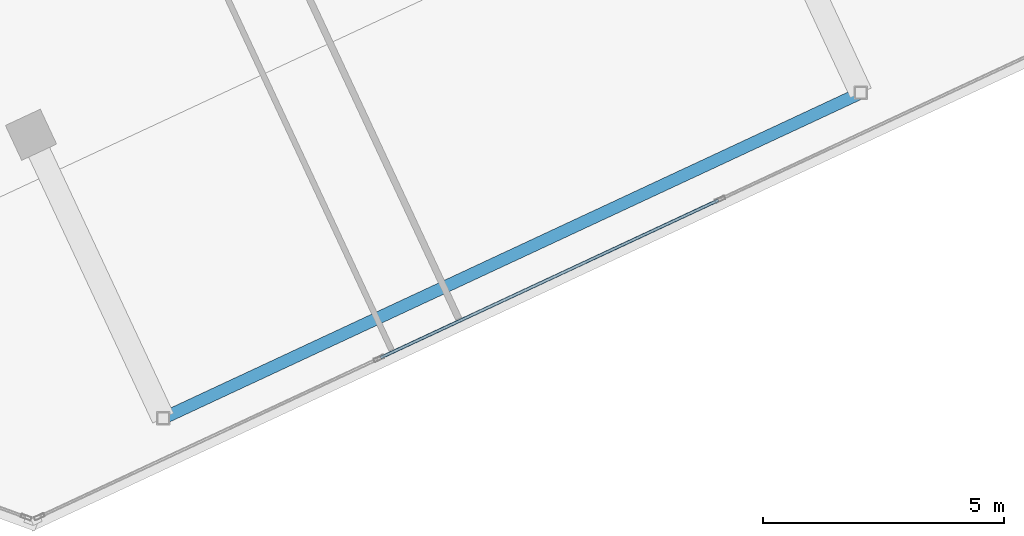
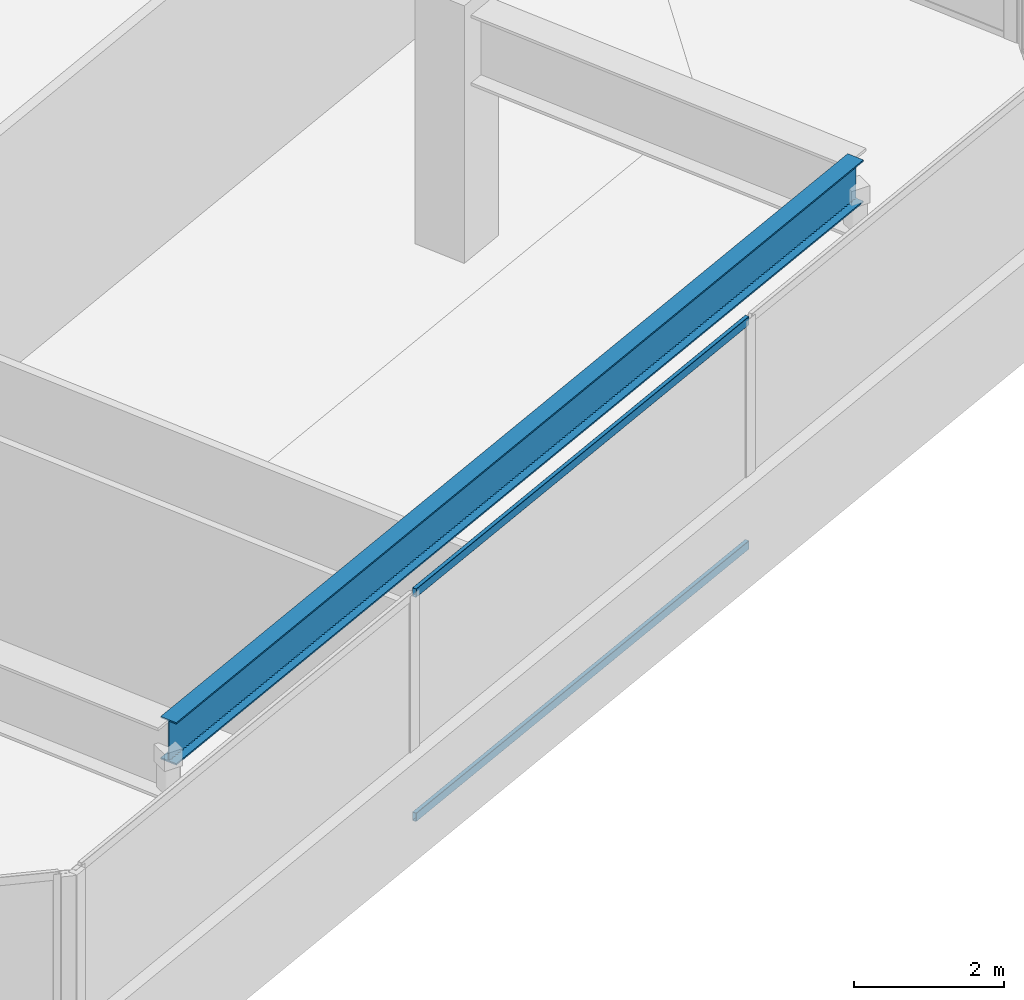
# One storey, part 4 of 17: 2 members, 1 beam, 1 element without a shape of its own.
"""IFC4 building model written with IfcOpenShell, lengths in metres."""

from ifc_helpers import new_model, si_unit, direction, frame, origin, origin_2d, place, context, subcontext, project, spatial, hollow_rectangle, i_section, extrude, source, transform, mapped, material, material_profile, profile_set, type_object, element, aggregate, save


model = new_model("IFC4")

# Units and contexts
model_context = context("Model", 3, precision=1e-05, world=origin(), true_north=direction((0.0, 1.0)))
body_context = subcontext(model_context, "Body", "Model", "MODEL_VIEW")
ifc_project = project(units=[si_unit("LENGTHUNIT", "METRE"), si_unit("AREAUNIT", "SQUARE_METRE"), si_unit("VOLUMEUNIT", "CUBIC_METRE"), si_unit("PLANEANGLEUNIT", "RADIAN"), si_unit("MASSUNIT", "GRAM", prefix="KILO")], contexts=[model_context])

# Site, building, storey
site_placement = place(None, origin())
site = spatial("IfcSite", under=ifc_project, at=site_placement, CompositionType="ELEMENT")
building_placement = place(site_placement, origin())
building = spatial("IfcBuilding", under=site, at=building_placement, Name="Torre Montelarca", CompositionType="ELEMENT")
storey_placement = place(building_placement, frame((0.0, 0.0, 340.800048828125)))
storey = spatial("IfcBuildingStorey", under=building, at=storey_placement, Name="L77", CompositionType="ELEMENT", Elevation=340.800048828125)

# Beam
ifc_material_1 = material(Name="Steel ASTM A992 Grade 50", Category="steel")
ifc_material_profile_1 = material_profile(ifc_material_1, i_section(OverallWidth=0.256103515625, OverallDepth=0.693115234375, WebThickness=0.014404296875, FlangeThickness=0.023681640625, FilletRadius=0.01806640625, at=origin_2d()), Name="W690X170", Category="steel")
ifc_profile_set_1 = profile_set([ifc_material_profile_1], Name="Steel ASTM A992 Grade 50")
beam_type = type_object("IfcBeamType", Name="BM-G-W690-EXT", PredefinedType="BEAM", material=ifc_profile_set_1)
shared_shape_1 = source(origin(), body_context, "Body", "SweptSolid", [
    extrude(i_section(OverallWidth=0.256103515625, OverallDepth=0.693115234375, WebThickness=0.014404296875, FlangeThickness=0.023681640625, FilletRadius=0.01806640625, at=origin_2d()), origin(), (0.0, 0.0, 1.0), 16.0),
])
beam_placement = place(storey_placement, frame((23.12451171875, 9.586669921875, 3.614013671875), z_axis=(0.906312519031, 0.422608113797, 0.0), x_axis=(-0.422608113797, 0.906312519031, 0.0)))
element("IfcBeam", 1, at=beam_placement, inside=storey, type_object=beam_type, Name="L77 Sliding Tray Edge Girder East 24-40m (FLR)", PredefinedType="BEAM", context=body_context, shape_type="MappedRepresentation", body=[
    mapped(shared_shape_1, transform((0.0, 0.0, 0.0), scale=1.0)),
])

# Curtain wall, members
ifc_material_2 = material(Name="Insulated low-E laminated glass", Category="glass")
curtain_wall_type = type_object("IfcCurtainWallType", Name="CW-SYS-Z4", PredefinedType="USERDEFINED", material=ifc_material_2)
curtain_wall_placement = place(storey_placement, origin())
curtain_wall = element("IfcCurtainWall", 2, at=curtain_wall_placement, inside=storey, type_object=curtain_wall_type, Name="L77 Curtain Wall Run CW-T3-L77-E06-B1", ObjectType="UNITISED GLAZING", PredefinedType="USERDEFINED")
ifc_material_3 = material(Name="Anodised aluminium AA 6063-T6", Category="aluminium")
ifc_material_profile_2 = material_profile(ifc_material_3, hollow_rectangle(XDim=0.06494140625, YDim=0.139892578125, WallThickness=0.00390625, InnerFilletRadius=0.00390625, OuterFilletRadius=0.008056640625, at=origin_2d()), Name="ALU65X140X4", Category="aluminium")
ifc_profile_set_2 = profile_set([ifc_material_profile_2], Name="Anodised aluminium AA 6063-T6")
member_type = type_object("IfcMemberType", Name="CWT-ALU140", PredefinedType="USERDEFINED", material=ifc_profile_set_2)
shared_shape_2 = source(origin(), body_context, "Body", "SweptSolid", [
    extrude(hollow_rectangle(XDim=0.06494140625, YDim=0.139892578125, WallThickness=0.00390625, InnerFilletRadius=0.00390625, OuterFilletRadius=0.008056640625, at=origin_2d()), origin(), (0.0, 0.0, 1.0), 7.747802734375),
])
member_1_placement = place(storey_placement, frame((27.642578125, 10.84375, 0.032470703125), z_axis=(0.906307073306, 0.422619792337, 0.0), x_axis=(-0.422619792337, 0.906307073306, 0.0)))
member_1 = element("IfcMember", 3, at=member_1_placement, type_object=member_type, Name="CW transom 2.1", ObjectType="TRANSOM", PredefinedType="USERDEFINED", context=body_context, shape_type="MappedRepresentation", body=[
    mapped(shared_shape_2, transform((0.0, 0.0, 0.0), scale=1.0)),
])
member_2_placement = place(storey_placement, frame((27.642578125, 10.84375, 3.6875), z_axis=(0.906307073306, 0.422619792337, 0.0), x_axis=(-0.422619792337, 0.906307073306, 0.0)))
member_2 = element("IfcMember", 4, at=member_2_placement, type_object=member_type, Name="CW transom 2.2", ObjectType="TRANSOM", PredefinedType="USERDEFINED", context=body_context, shape_type="MappedRepresentation", body=[
    mapped(shared_shape_2, transform((0.0, 0.0, 0.0), scale=1.0)),
])
aggregate(curtain_wall, [member_1, member_2])

save(model, "model.ifc")
